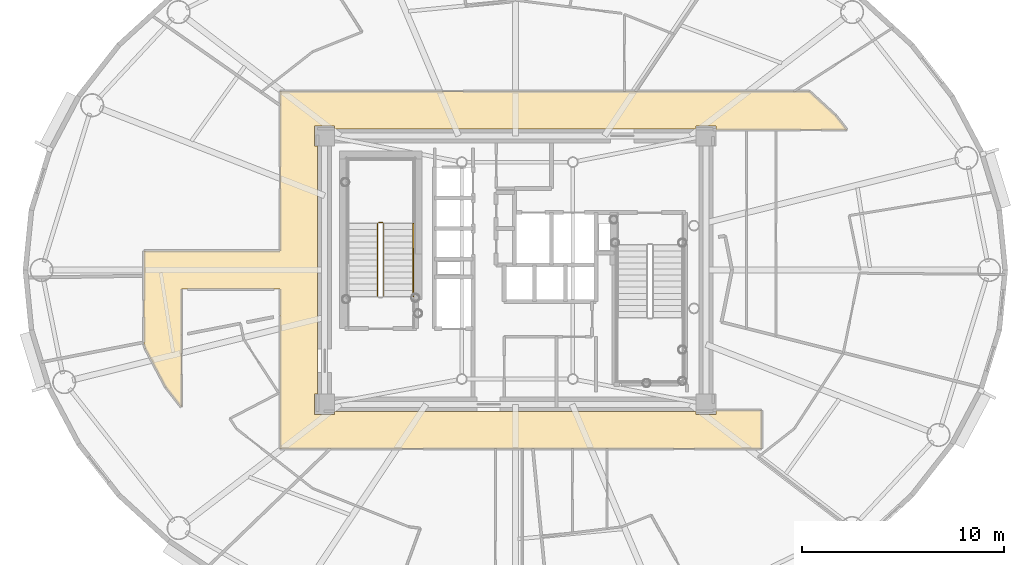
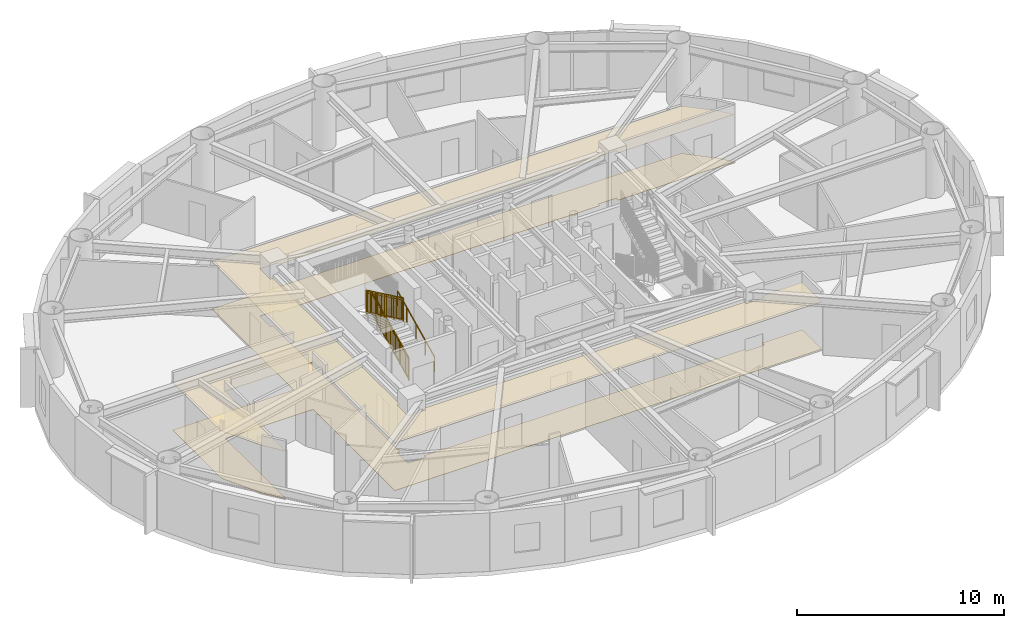
# One storey, part 14 of 18: 4 railings, 2 coverings.
"""IFC4 building model written with IfcOpenShell, lengths in metres."""

from ifc_helpers import new_model, si_unit, direction, frame, origin, origin_2d, place, context, subcontext, project, spatial, polyline, rectangle, outline, extrude, source, transform, mapped, material, layer, layer_set, type_object, element, save


model = new_model("IFC4")

# Units and contexts
model_context = context("Model", 3, precision=1e-05, world=origin(), true_north=direction((0.0, 1.0)))
body_context = subcontext(model_context, "Body", "Model", "MODEL_VIEW")
ifc_project = project(units=[si_unit("LENGTHUNIT", "METRE"), si_unit("AREAUNIT", "SQUARE_METRE"), si_unit("VOLUMEUNIT", "CUBIC_METRE"), si_unit("PLANEANGLEUNIT", "RADIAN"), si_unit("MASSUNIT", "GRAM", prefix="KILO")], contexts=[model_context])

# Site, building, storey
site_placement = place(None, origin())
site = spatial("IfcSite", under=ifc_project, at=site_placement, CompositionType="ELEMENT")
building_placement = place(site_placement, origin())
building = spatial("IfcBuilding", under=site, at=building_placement, Name="Linh Dai School and Residence Tower", CompositionType="ELEMENT")
storey_placement = place(building_placement, frame((0.0, 0.0, 259.050048828125)))
storey = spatial("IfcBuildingStorey", under=building, at=storey_placement, Name="L64", CompositionType="ELEMENT", Elevation=259.050048828125)

# Coverings
ifc_material_1 = material(Name="Mineral Fibre Acoustic Suspended Ceiling", Category="masonry")
ifc_layer_1 = layer(ifc_material_1, 0.02001953125)
ifc_layer_set_1 = layer_set([ifc_layer_1], Name="Mineral Fibre Acoustic Suspended Ceiling")
covering_type_1 = type_object("IfcCoveringType", Name="COV-CEIL-AC-20", PredefinedType="CEILING", material=ifc_layer_set_1)
covering_1_placement = place(storey_placement, frame((0.0, 0.0, 2.800048828125)))
element("IfcCovering", 1, at=covering_1_placement, inside=storey, type_object=covering_type_1, Name="L64 Residential Floor Corridor Suspended Ceiling", PredefinedType="CEILING", context=body_context, shape_type="SweptSolid", body=[
    extrude(outline(polyline([(19.449951171875, 20.211181640625), (18.6806640625, 21.1943359375), (17.66650390625, 23.111083984375), (17.60009765625, 23.327880859375), (17.60009765625, 27.949951171875), (24.35009765625, 27.949951171875), (24.35009765625, 35.85009765625), (50.56787109375, 35.85009765625), (51.873779296875, 34.65283203125), (52.423828125, 33.949951171875), (45.949951171875, 33.949951171875), (45.949951171875, 34.14990234375), (44.949951171875, 34.14990234375), (44.949951171875, 34.0), (27.050048828125, 34.0), (27.050048828125, 34.14990234375), (26.050048828125, 34.14990234375), (26.050048828125, 33.14990234375), (26.199951171875, 33.14990234375), (26.199951171875, 20.85009765625), (26.050048828125, 20.85009765625), (26.050048828125, 19.85009765625), (27.050048828125, 19.85009765625), (27.050048828125, 20.0), (44.949951171875, 20.0), (44.949951171875, 19.85009765625), (45.949951171875, 19.85009765625), (45.949951171875, 20.050048828125), (48.199951171875, 20.050048828125), (48.199951171875, 18.14990234375), (24.35009765625, 18.14990234375), (24.35009765625, 26.050048828125), (19.449951171875, 26.050048828125), (19.449951171875, 20.211181640625)])), origin(), (0.0, 0.0, 1.0), 0.02001953125),
])
ifc_material_2 = material(Name="Polished Terrazzo Floor Finish", Category="masonry")
ifc_layer_2 = layer(ifc_material_2, 0.02490234375)
ifc_layer_set_2 = layer_set([ifc_layer_2], Name="Polished Terrazzo Floor Finish")
covering_type_2 = type_object("IfcCoveringType", Name="COV-FLR-TRZ-25", PredefinedType="FLOORING", material=ifc_layer_set_2)
covering_2_placement = place(storey_placement, origin())
element("IfcCovering", 2, at=covering_2_placement, inside=storey, type_object=covering_type_2, Name="L64 Residential Floor Corridor Floor Finish", PredefinedType="FLOORING", context=body_context, shape_type="SweptSolid", body=[
    extrude(outline(polyline([(19.449951171875, 20.211181640625), (18.6806640625, 21.1943359375), (17.66650390625, 23.111083984375), (17.60009765625, 23.327880859375), (17.60009765625, 27.949951171875), (24.35009765625, 27.949951171875), (24.35009765625, 35.85009765625), (50.56787109375, 35.85009765625), (51.873779296875, 34.65283203125), (52.423828125, 33.949951171875), (45.949951171875, 33.949951171875), (45.949951171875, 34.14990234375), (44.949951171875, 34.14990234375), (44.949951171875, 34.0), (27.050048828125, 34.0), (27.050048828125, 34.14990234375), (26.050048828125, 34.14990234375), (26.050048828125, 33.14990234375), (26.199951171875, 33.14990234375), (26.199951171875, 20.85009765625), (26.050048828125, 20.85009765625), (26.050048828125, 19.85009765625), (27.050048828125, 19.85009765625), (27.050048828125, 20.0), (44.949951171875, 20.0), (44.949951171875, 19.85009765625), (45.949951171875, 19.85009765625), (45.949951171875, 20.050048828125), (48.199951171875, 20.050048828125), (48.199951171875, 18.14990234375), (24.35009765625, 18.14990234375), (24.35009765625, 26.050048828125), (19.449951171875, 26.050048828125), (19.449951171875, 20.211181640625)])), origin(), (0.0, 0.0, 1.0), 0.02001953125),
])

# Railings
ifc_material_3 = material(Name="Structural Steel S355JR", Category="steel")
railing_type_1 = type_object("IfcRailingType", Name="RL-ST-GUARD-1400", PredefinedType="GUARDRAIL", material=ifc_material_3)
shared_shape_1 = source(origin(), body_context, "Body", "SweptSolid", [
    extrude(rectangle(XDim=0.048095703125, YDim=0.048095703125, at=origin_2d()), frame((0.0, 0.0, 1.3759765625), z_axis=(-1.0, 0.0, 0.0), x_axis=(0.0, -1.0, 0.0)), (0.0, 0.0, 1.0), 0.199951171875),
    extrude(rectangle(XDim=0.048095703125, YDim=0.048095703125, at=origin_2d()), frame((0.0, 0.0, 0.10009765625), z_axis=(-1.0, 0.0, 0.0), x_axis=(0.0, -1.0, 0.0)), (0.0, 0.0, 1.0), 0.199951171875),
    extrude(rectangle(XDim=0.030029296875, YDim=0.030029296875, at=origin_2d()), frame((0.0, 0.0, 1.239990234375), z_axis=(-1.0, 0.0, 0.0), x_axis=(0.0, -1.0, 0.0)), (0.0, 0.0, 1.0), 0.199951171875),
    extrude(rectangle(XDim=0.0419921875, YDim=0.0419921875, at=origin_2d()), origin(), (0.0, 0.0, 1.0), 1.3759765625),
    extrude(rectangle(XDim=0.0419921875, YDim=0.0419921875, at=origin_2d()), frame((-0.199951171875, 0.0, 0.0)), (0.0, 0.0, 1.0), 1.3759765625),
])
railing_1_placement = place(storey_placement, frame((29.429931640625, 29.35009765625, 1.875)))
element("IfcRailing", 3, at=railing_1_placement, inside=storey, type_object=railing_type_1, Name="L64 ST1 stair guard 2", PredefinedType="GUARDRAIL", context=body_context, shape_type="MappedRepresentation", body=[
    mapped(shared_shape_1, transform((0.0, 0.0, 0.0), x_axis=(1.0, 0.0, 0.0), y_axis=(0.0, 1.0, 0.0), z_axis=(0.0, 0.0, 1.0), scale=1.0)),
])
shared_shape_2 = source(origin(), body_context, "Body", "SweptSolid", [
    extrude(rectangle(XDim=0.048095703125, YDim=0.048095703125, at=origin_2d()), frame((0.0, 0.0, 1.3759765625), z_axis=(0.0, 0.901262522062, 0.433273431364), x_axis=(-1.0, 0.0, 0.0)), (0.0, 0.0, 1.0), 3.994384765625),
    extrude(rectangle(XDim=0.048095703125, YDim=0.048095703125, at=origin_2d()), frame((0.0, 0.0, 0.10009765625), z_axis=(0.0, 0.901262522062, 0.433273431364), x_axis=(-1.0, 0.0, 0.0)), (0.0, 0.0, 1.0), 3.994384765625),
    extrude(rectangle(XDim=0.030029296875, YDim=0.030029296875, at=origin_2d()), frame((0.0, 0.0, 1.239990234375), z_axis=(0.0, 0.901262522062, 0.433273431364), x_axis=(-1.0, 0.0, 0.0)), (0.0, 0.0, 1.0), 3.994384765625),
    extrude(rectangle(XDim=0.02001953125, YDim=0.02001953125, at=origin_2d()), frame((0.0, 0.087890625, 0.142333984375)), (0.0, 0.0, 1.0), 1.251708984375),
    extrude(rectangle(XDim=0.02001953125, YDim=0.02001953125, at=origin_2d()), frame((0.0, 0.175537109375, 0.1845703125)), (0.0, 0.0, 1.0), 1.251708984375),
    extrude(rectangle(XDim=0.02001953125, YDim=0.02001953125, at=origin_2d()), frame((0.0, 0.263427734375, 0.226806640625)), (0.0, 0.0, 1.0), 1.251708984375),
    extrude(rectangle(XDim=0.02001953125, YDim=0.02001953125, at=origin_2d()), frame((0.0, 0.351318359375, 0.26904296875)), (0.0, 0.0, 1.0), 1.251708984375),
    extrude(rectangle(XDim=0.02001953125, YDim=0.02001953125, at=origin_2d()), frame((0.0, 0.43896484375, 0.311279296875)), (0.0, 0.0, 1.0), 1.251708984375),
    extrude(rectangle(XDim=0.02001953125, YDim=0.02001953125, at=origin_2d()), frame((0.0, 0.52685546875, 0.353271484375)), (0.0, 0.0, 1.0), 1.251708984375),
    extrude(rectangle(XDim=0.02001953125, YDim=0.02001953125, at=origin_2d()), frame((0.0, 0.61474609375, 0.3955078125)), (0.0, 0.0, 1.0), 1.251708984375),
    extrude(rectangle(XDim=0.02001953125, YDim=0.02001953125, at=origin_2d()), frame((0.0, 0.702392578125, 0.437744140625)), (0.0, 0.0, 1.0), 1.251708984375),
    extrude(rectangle(XDim=0.02001953125, YDim=0.02001953125, at=origin_2d()), frame((0.0, 0.790283203125, 0.47998046875)), (0.0, 0.0, 1.0), 1.251708984375),
    extrude(rectangle(XDim=0.02001953125, YDim=0.02001953125, at=origin_2d()), frame((0.0, 0.9658203125, 0.564453125)), (0.0, 0.0, 1.0), 1.251708984375),
    extrude(rectangle(XDim=0.02001953125, YDim=0.02001953125, at=origin_2d()), frame((0.0, 1.0537109375, 0.606689453125)), (0.0, 0.0, 1.0), 1.251708984375),
    extrude(rectangle(XDim=0.02001953125, YDim=0.02001953125, at=origin_2d()), frame((0.0, 1.1416015625, 0.64892578125)), (0.0, 0.0, 1.0), 1.251708984375),
    extrude(rectangle(XDim=0.02001953125, YDim=0.02001953125, at=origin_2d()), frame((0.0, 1.229248046875, 0.691162109375)), (0.0, 0.0, 1.0), 1.251708984375),
    extrude(rectangle(XDim=0.02001953125, YDim=0.02001953125, at=origin_2d()), frame((0.0, 1.317138671875, 0.7333984375)), (0.0, 0.0, 1.0), 1.251708984375),
    extrude(rectangle(XDim=0.02001953125, YDim=0.02001953125, at=origin_2d()), frame((0.0, 1.405029296875, 0.775390625)), (0.0, 0.0, 1.0), 1.251708984375),
    extrude(rectangle(XDim=0.02001953125, YDim=0.02001953125, at=origin_2d()), frame((0.0, 1.49267578125, 0.817626953125)), (0.0, 0.0, 1.0), 1.251708984375),
    extrude(rectangle(XDim=0.02001953125, YDim=0.02001953125, at=origin_2d()), frame((0.0, 1.58056640625, 0.85986328125)), (0.0, 0.0, 1.0), 1.251708984375),
    extrude(rectangle(XDim=0.02001953125, YDim=0.02001953125, at=origin_2d()), frame((0.0, 1.66845703125, 0.902099609375)), (0.0, 0.0, 1.0), 1.251708984375),
    extrude(rectangle(XDim=0.02001953125, YDim=0.02001953125, at=origin_2d()), frame((0.0, 1.756103515625, 0.9443359375)), (0.0, 0.0, 1.0), 1.251708984375),
    extrude(rectangle(XDim=0.02001953125, YDim=0.02001953125, at=origin_2d()), frame((0.0, 1.843994140625, 0.986572265625)), (0.0, 0.0, 1.0), 1.251708984375),
    extrude(rectangle(XDim=0.02001953125, YDim=0.02001953125, at=origin_2d()), frame((0.0, 1.931640625, 1.02880859375)), (0.0, 0.0, 1.0), 1.251708984375),
    extrude(rectangle(XDim=0.02001953125, YDim=0.02001953125, at=origin_2d()), frame((0.0, 2.01953125, 1.071044921875)), (0.0, 0.0, 1.0), 1.251708984375),
    extrude(rectangle(XDim=0.02001953125, YDim=0.02001953125, at=origin_2d()), frame((0.0, 2.107421875, 1.11328125)), (0.0, 0.0, 1.0), 1.251708984375),
    extrude(rectangle(XDim=0.02001953125, YDim=0.02001953125, at=origin_2d()), frame((0.0, 2.195068359375, 1.155517578125)), (0.0, 0.0, 1.0), 1.251708984375),
    extrude(rectangle(XDim=0.02001953125, YDim=0.02001953125, at=origin_2d()), frame((0.0, 2.282958984375, 1.197509765625)), (0.0, 0.0, 1.0), 1.251708984375),
    extrude(rectangle(XDim=0.02001953125, YDim=0.02001953125, at=origin_2d()), frame((0.0, 2.370849609375, 1.23974609375)), (0.0, 0.0, 1.0), 1.251708984375),
    extrude(rectangle(XDim=0.02001953125, YDim=0.02001953125, at=origin_2d()), frame((0.0, 2.45849609375, 1.281982421875)), (0.0, 0.0, 1.0), 1.251708984375),
    extrude(rectangle(XDim=0.02001953125, YDim=0.02001953125, at=origin_2d()), frame((0.0, 2.54638671875, 1.32421875)), (0.0, 0.0, 1.0), 1.251708984375),
    extrude(rectangle(XDim=0.02001953125, YDim=0.02001953125, at=origin_2d()), frame((0.0, 2.63427734375, 1.366455078125)), (0.0, 0.0, 1.0), 1.251708984375),
    extrude(rectangle(XDim=0.02001953125, YDim=0.02001953125, at=origin_2d()), frame((0.0, 2.809814453125, 1.450927734375)), (0.0, 0.0, 1.0), 1.251708984375),
    extrude(rectangle(XDim=0.02001953125, YDim=0.02001953125, at=origin_2d()), frame((0.0, 2.897705078125, 1.4931640625)), (0.0, 0.0, 1.0), 1.251708984375),
    extrude(rectangle(XDim=0.02001953125, YDim=0.02001953125, at=origin_2d()), frame((0.0, 2.9853515625, 1.535400390625)), (0.0, 0.0, 1.0), 1.251708984375),
    extrude(rectangle(XDim=0.02001953125, YDim=0.02001953125, at=origin_2d()), frame((0.0, 3.0732421875, 1.57763671875)), (0.0, 0.0, 1.0), 1.251708984375),
    extrude(rectangle(XDim=0.02001953125, YDim=0.02001953125, at=origin_2d()), frame((0.0, 3.1611328125, 1.61962890625)), (0.0, 0.0, 1.0), 1.251708984375),
    extrude(rectangle(XDim=0.02001953125, YDim=0.02001953125, at=origin_2d()), frame((0.0, 3.248779296875, 1.661865234375)), (0.0, 0.0, 1.0), 1.251708984375),
    extrude(rectangle(XDim=0.02001953125, YDim=0.02001953125, at=origin_2d()), frame((0.0, 3.336669921875, 1.7041015625)), (0.0, 0.0, 1.0), 1.251708984375),
    extrude(rectangle(XDim=0.02001953125, YDim=0.02001953125, at=origin_2d()), frame((0.0, 3.424560546875, 1.746337890625)), (0.0, 0.0, 1.0), 1.251708984375),
    extrude(rectangle(XDim=0.02001953125, YDim=0.02001953125, at=origin_2d()), frame((0.0, 3.51220703125, 1.78857421875)), (0.0, 0.0, 1.0), 1.251708984375),
    extrude(rectangle(XDim=0.0419921875, YDim=0.0419921875, at=origin_2d()), origin(), (0.0, 0.0, 1.0), 1.3759765625),
    extrude(rectangle(XDim=0.0419921875, YDim=0.0419921875, at=origin_2d()), frame((0.0, 0.89990234375, 0.4326171875)), (0.0, 0.0, 1.0), 1.3759765625),
    extrude(rectangle(XDim=0.0419921875, YDim=0.0419921875, at=origin_2d()), frame((0.0, 1.800048828125, 0.865234375)), (0.0, 0.0, 1.0), 1.3759765625),
    extrude(rectangle(XDim=0.0419921875, YDim=0.0419921875, at=origin_2d()), frame((0.0, 2.7001953125, 1.298095703125)), (0.0, 0.0, 1.0), 1.3759765625),
    extrude(rectangle(XDim=0.0419921875, YDim=0.0419921875, at=origin_2d()), frame((0.0, 3.60009765625, 1.730712890625)), (0.0, 0.0, 1.0), 1.3759765625),
])
railing_2_placement = place(storey_placement, frame((29.47998046875, 25.699951171875, 0.144287109375)))
element("IfcRailing", 4, at=railing_2_placement, inside=storey, type_object=railing_type_1, Name="L64 ST1 stair guard 1", PredefinedType="GUARDRAIL", context=body_context, shape_type="MappedRepresentation", body=[
    mapped(shared_shape_2, transform((0.0, 0.0, 0.0), x_axis=(1.0, 0.0, 0.0), y_axis=(0.0, 1.0, 0.0), z_axis=(0.0, 0.0, 1.0), scale=1.0)),
])
shared_shape_3 = source(origin(), body_context, "Body", "SweptSolid", [
    extrude(rectangle(XDim=0.048095703125, YDim=0.048095703125, at=origin_2d()), frame((0.0, 0.0, 1.3759765625), z_axis=(0.0, -0.901262522062, 0.433273431364), x_axis=(1.0, 0.0, 0.0)), (0.0, 0.0, 1.0), 3.994384765625),
    extrude(rectangle(XDim=0.048095703125, YDim=0.048095703125, at=origin_2d()), frame((0.0, 0.0, 0.10009765625), z_axis=(0.0, -0.901262522062, 0.433273431364), x_axis=(1.0, 0.0, 0.0)), (0.0, 0.0, 1.0), 3.994384765625),
    extrude(rectangle(XDim=0.030029296875, YDim=0.030029296875, at=origin_2d()), frame((0.0, 0.0, 1.239990234375), z_axis=(0.0, -0.901262522062, 0.433273431364), x_axis=(1.0, 0.0, 0.0)), (0.0, 0.0, 1.0), 3.994384765625),
    extrude(rectangle(XDim=0.02001953125, YDim=0.02001953125, at=origin_2d()), frame((0.0, -0.087890625, 0.142333984375)), (0.0, 0.0, 1.0), 1.251708984375),
    extrude(rectangle(XDim=0.02001953125, YDim=0.02001953125, at=origin_2d()), frame((0.0, -0.175537109375, 0.1845703125)), (0.0, 0.0, 1.0), 1.251708984375),
    extrude(rectangle(XDim=0.02001953125, YDim=0.02001953125, at=origin_2d()), frame((0.0, -0.263427734375, 0.226806640625)), (0.0, 0.0, 1.0), 1.251708984375),
    extrude(rectangle(XDim=0.02001953125, YDim=0.02001953125, at=origin_2d()), frame((0.0, -0.351318359375, 0.26904296875)), (0.0, 0.0, 1.0), 1.251708984375),
    extrude(rectangle(XDim=0.02001953125, YDim=0.02001953125, at=origin_2d()), frame((0.0, -0.43896484375, 0.311279296875)), (0.0, 0.0, 1.0), 1.251708984375),
    extrude(rectangle(XDim=0.02001953125, YDim=0.02001953125, at=origin_2d()), frame((0.0, -0.52685546875, 0.353271484375)), (0.0, 0.0, 1.0), 1.251708984375),
    extrude(rectangle(XDim=0.02001953125, YDim=0.02001953125, at=origin_2d()), frame((0.0, -0.61474609375, 0.3955078125)), (0.0, 0.0, 1.0), 1.251708984375),
    extrude(rectangle(XDim=0.02001953125, YDim=0.02001953125, at=origin_2d()), frame((0.0, -0.702392578125, 0.437744140625)), (0.0, 0.0, 1.0), 1.251708984375),
    extrude(rectangle(XDim=0.02001953125, YDim=0.02001953125, at=origin_2d()), frame((0.0, -0.790283203125, 0.47998046875)), (0.0, 0.0, 1.0), 1.251708984375),
    extrude(rectangle(XDim=0.02001953125, YDim=0.02001953125, at=origin_2d()), frame((0.0, -0.9658203125, 0.564453125)), (0.0, 0.0, 1.0), 1.251708984375),
    extrude(rectangle(XDim=0.02001953125, YDim=0.02001953125, at=origin_2d()), frame((0.0, -1.0537109375, 0.606689453125)), (0.0, 0.0, 1.0), 1.251708984375),
    extrude(rectangle(XDim=0.02001953125, YDim=0.02001953125, at=origin_2d()), frame((0.0, -1.1416015625, 0.64892578125)), (0.0, 0.0, 1.0), 1.251708984375),
    extrude(rectangle(XDim=0.02001953125, YDim=0.02001953125, at=origin_2d()), frame((0.0, -1.229248046875, 0.691162109375)), (0.0, 0.0, 1.0), 1.251708984375),
    extrude(rectangle(XDim=0.02001953125, YDim=0.02001953125, at=origin_2d()), frame((0.0, -1.317138671875, 0.7333984375)), (0.0, 0.0, 1.0), 1.251708984375),
    extrude(rectangle(XDim=0.02001953125, YDim=0.02001953125, at=origin_2d()), frame((0.0, -1.405029296875, 0.775390625)), (0.0, 0.0, 1.0), 1.251708984375),
    extrude(rectangle(XDim=0.02001953125, YDim=0.02001953125, at=origin_2d()), frame((0.0, -1.49267578125, 0.817626953125)), (0.0, 0.0, 1.0), 1.251708984375),
    extrude(rectangle(XDim=0.02001953125, YDim=0.02001953125, at=origin_2d()), frame((0.0, -1.58056640625, 0.85986328125)), (0.0, 0.0, 1.0), 1.251708984375),
    extrude(rectangle(XDim=0.02001953125, YDim=0.02001953125, at=origin_2d()), frame((0.0, -1.66845703125, 0.902099609375)), (0.0, 0.0, 1.0), 1.251708984375),
    extrude(rectangle(XDim=0.02001953125, YDim=0.02001953125, at=origin_2d()), frame((0.0, -1.756103515625, 0.9443359375)), (0.0, 0.0, 1.0), 1.251708984375),
    extrude(rectangle(XDim=0.02001953125, YDim=0.02001953125, at=origin_2d()), frame((0.0, -1.843994140625, 0.986572265625)), (0.0, 0.0, 1.0), 1.251708984375),
    extrude(rectangle(XDim=0.02001953125, YDim=0.02001953125, at=origin_2d()), frame((0.0, -1.931640625, 1.02880859375)), (0.0, 0.0, 1.0), 1.251708984375),
    extrude(rectangle(XDim=0.02001953125, YDim=0.02001953125, at=origin_2d()), frame((0.0, -2.01953125, 1.071044921875)), (0.0, 0.0, 1.0), 1.251708984375),
    extrude(rectangle(XDim=0.02001953125, YDim=0.02001953125, at=origin_2d()), frame((0.0, -2.107421875, 1.11328125)), (0.0, 0.0, 1.0), 1.251708984375),
    extrude(rectangle(XDim=0.02001953125, YDim=0.02001953125, at=origin_2d()), frame((0.0, -2.195068359375, 1.155517578125)), (0.0, 0.0, 1.0), 1.251708984375),
    extrude(rectangle(XDim=0.02001953125, YDim=0.02001953125, at=origin_2d()), frame((0.0, -2.282958984375, 1.197509765625)), (0.0, 0.0, 1.0), 1.251708984375),
    extrude(rectangle(XDim=0.02001953125, YDim=0.02001953125, at=origin_2d()), frame((0.0, -2.370849609375, 1.23974609375)), (0.0, 0.0, 1.0), 1.251708984375),
    extrude(rectangle(XDim=0.02001953125, YDim=0.02001953125, at=origin_2d()), frame((0.0, -2.45849609375, 1.281982421875)), (0.0, 0.0, 1.0), 1.251708984375),
    extrude(rectangle(XDim=0.02001953125, YDim=0.02001953125, at=origin_2d()), frame((0.0, -2.54638671875, 1.32421875)), (0.0, 0.0, 1.0), 1.251708984375),
    extrude(rectangle(XDim=0.02001953125, YDim=0.02001953125, at=origin_2d()), frame((0.0, -2.63427734375, 1.366455078125)), (0.0, 0.0, 1.0), 1.251708984375),
    extrude(rectangle(XDim=0.02001953125, YDim=0.02001953125, at=origin_2d()), frame((0.0, -2.809814453125, 1.450927734375)), (0.0, 0.0, 1.0), 1.251708984375),
    extrude(rectangle(XDim=0.02001953125, YDim=0.02001953125, at=origin_2d()), frame((0.0, -2.897705078125, 1.4931640625)), (0.0, 0.0, 1.0), 1.251708984375),
    extrude(rectangle(XDim=0.02001953125, YDim=0.02001953125, at=origin_2d()), frame((0.0, -2.9853515625, 1.535400390625)), (0.0, 0.0, 1.0), 1.251708984375),
    extrude(rectangle(XDim=0.02001953125, YDim=0.02001953125, at=origin_2d()), frame((0.0, -3.0732421875, 1.57763671875)), (0.0, 0.0, 1.0), 1.251708984375),
    extrude(rectangle(XDim=0.02001953125, YDim=0.02001953125, at=origin_2d()), frame((0.0, -3.1611328125, 1.61962890625)), (0.0, 0.0, 1.0), 1.251708984375),
    extrude(rectangle(XDim=0.02001953125, YDim=0.02001953125, at=origin_2d()), frame((0.0, -3.248779296875, 1.661865234375)), (0.0, 0.0, 1.0), 1.251708984375),
    extrude(rectangle(XDim=0.02001953125, YDim=0.02001953125, at=origin_2d()), frame((0.0, -3.336669921875, 1.7041015625)), (0.0, 0.0, 1.0), 1.251708984375),
    extrude(rectangle(XDim=0.02001953125, YDim=0.02001953125, at=origin_2d()), frame((0.0, -3.424560546875, 1.746337890625)), (0.0, 0.0, 1.0), 1.251708984375),
    extrude(rectangle(XDim=0.02001953125, YDim=0.02001953125, at=origin_2d()), frame((0.0, -3.51220703125, 1.78857421875)), (0.0, 0.0, 1.0), 1.251708984375),
    extrude(rectangle(XDim=0.0419921875, YDim=0.0419921875, at=origin_2d()), origin(), (0.0, 0.0, 1.0), 1.3759765625),
    extrude(rectangle(XDim=0.0419921875, YDim=0.0419921875, at=origin_2d()), frame((0.0, -0.89990234375, 0.4326171875)), (0.0, 0.0, 1.0), 1.3759765625),
    extrude(rectangle(XDim=0.0419921875, YDim=0.0419921875, at=origin_2d()), frame((0.0, -1.800048828125, 0.865234375)), (0.0, 0.0, 1.0), 1.3759765625),
    extrude(rectangle(XDim=0.0419921875, YDim=0.0419921875, at=origin_2d()), frame((0.0, -2.7001953125, 1.298095703125)), (0.0, 0.0, 1.0), 1.3759765625),
    extrude(rectangle(XDim=0.0419921875, YDim=0.0419921875, at=origin_2d()), frame((0.0, -3.60009765625, 1.730712890625)), (0.0, 0.0, 1.0), 1.3759765625),
])
railing_3_placement = place(storey_placement, frame((29.179931640625, 29.300048828125, 2.019287109375)))
element("IfcRailing", 5, at=railing_3_placement, inside=storey, type_object=railing_type_1, Name="L64 ST1 stair guard 6", PredefinedType="GUARDRAIL", context=body_context, shape_type="MappedRepresentation", body=[
    mapped(shared_shape_3, transform((0.0, 0.0, 0.0), x_axis=(1.0, 0.0, 0.0), y_axis=(0.0, 1.0, 0.0), z_axis=(0.0, 0.0, 1.0), scale=1.0)),
])
ifc_material_4 = material(Name="Brushed Stainless Steel Handrail", Category="steel")
railing_type_2 = type_object("IfcRailingType", Name="RL-ST-HANDRAIL-900", PredefinedType="HANDRAIL", material=ifc_material_4)
shared_shape_4 = source(origin(), body_context, "Body", "SweptSolid", [
    extrude(rectangle(XDim=0.048095703125, YDim=0.048095703125, at=origin_2d()), frame((0.0, 0.0, 0.8759765625), z_axis=(0.0, 0.901262522062, 0.433273431364), x_axis=(-1.0, 0.0, 0.0)), (0.0, 0.0, 1.0), 3.994384765625),
    extrude(rectangle(XDim=0.0419921875, YDim=0.0419921875, at=origin_2d()), origin(), (0.0, 0.0, 1.0), 0.8759765625),
    extrude(rectangle(XDim=0.0419921875, YDim=0.0419921875, at=origin_2d()), frame((0.0, 0.89990234375, 0.4326171875)), (0.0, 0.0, 1.0), 0.8759765625),
    extrude(rectangle(XDim=0.0419921875, YDim=0.0419921875, at=origin_2d()), frame((0.0, 1.800048828125, 0.865234375)), (0.0, 0.0, 1.0), 0.8759765625),
    extrude(rectangle(XDim=0.0419921875, YDim=0.0419921875, at=origin_2d()), frame((0.0, 2.7001953125, 1.298095703125)), (0.0, 0.0, 1.0), 0.8759765625),
    extrude(rectangle(XDim=0.0419921875, YDim=0.0419921875, at=origin_2d()), frame((0.0, 3.60009765625, 1.730712890625)), (0.0, 0.0, 1.0), 0.8759765625),
])
railing_4_placement = place(storey_placement, frame((30.929931640625, 25.699951171875, 0.144287109375)))
element("IfcRailing", 6, at=railing_4_placement, inside=storey, type_object=railing_type_2, Name="L64 ST1 stair handrail 1", PredefinedType="HANDRAIL", context=body_context, shape_type="MappedRepresentation", body=[
    mapped(shared_shape_4, transform((0.0, 0.0, 0.0), x_axis=(1.0, 0.0, 0.0), y_axis=(0.0, 1.0, 0.0), z_axis=(0.0, 0.0, 1.0), scale=1.0)),
])

save(model, "model.ifc")
